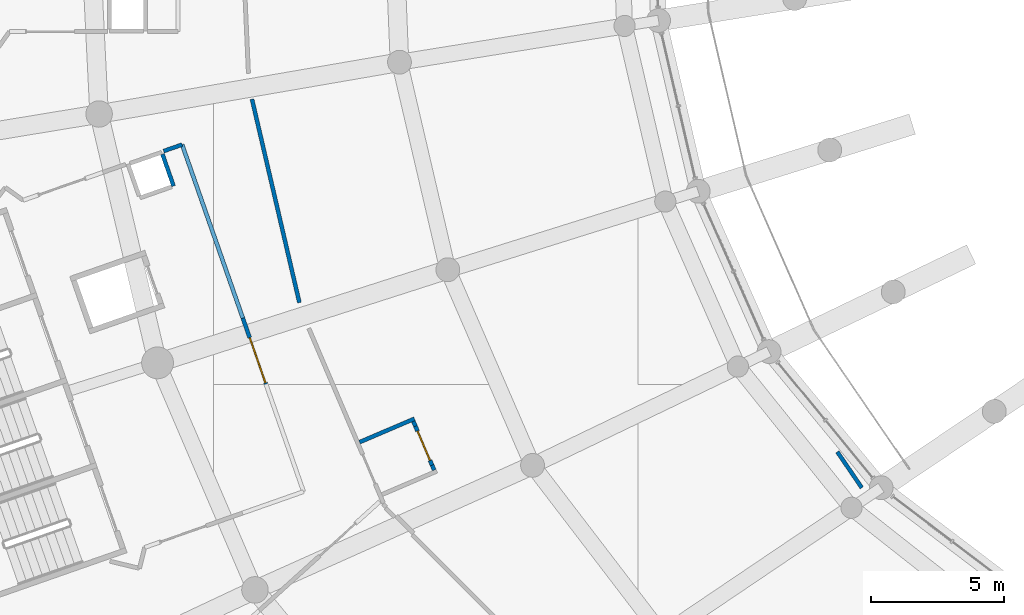
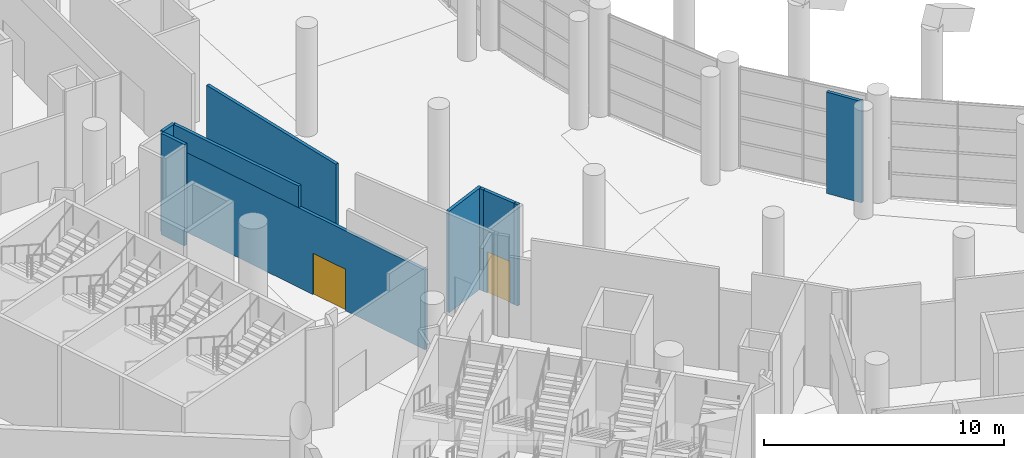
# One storey, part 161 of 271: 10 walls, 2 doors, 2 openings.
"""IFC4 building model written with IfcOpenShell, lengths in metres."""

from ifc_helpers import new_model, si_unit, direction, frame, frame_2d, origin, place, context, subcontext, project, spatial, rectangle, extrude, material, layer, layer_set, type_object, element, fill, save


model = new_model("IFC4")

# Units and contexts
model_context = context("Model", 3, precision=1e-05, world=origin(), true_north=direction((0.0, 1.0)))
body_context = subcontext(model_context, "Body", "Model", "MODEL_VIEW")
ifc_project = project(units=[si_unit("LENGTHUNIT", "METRE"), si_unit("AREAUNIT", "SQUARE_METRE"), si_unit("VOLUMEUNIT", "CUBIC_METRE"), si_unit("PLANEANGLEUNIT", "RADIAN"), si_unit("MASSUNIT", "GRAM", prefix="KILO")], contexts=[model_context])

# Site, building, storey
site_placement = place(None, origin())
site = spatial("IfcSite", under=ifc_project, at=site_placement, CompositionType="ELEMENT")
building_placement = place(site_placement, origin())
building = spatial("IfcBuilding", under=site, at=building_placement, Name="Meseta Stadium", CompositionType="ELEMENT")
storey_placement = place(building_placement, frame((0.0, 0.0, 6.5)))
storey = spatial("IfcBuildingStorey", under=building, at=storey_placement, Name="L01", CompositionType="ELEMENT", Elevation=6.5)

# Walls
ifc_material_1 = material(Name="Masonry blockwork", Category="masonry")
ifc_layer = layer(ifc_material_1, 0.14990234375)
ifc_layer_set = layer_set([ifc_layer], Name="Partition 150")
wall_type = type_object("IfcWallType", Name="Partition 150", PredefinedType="PARTITIONING", material=ifc_layer_set)
wall_1_placement = place(storey_placement, frame((-76.768310546875, -60.917724609375, 0.0), z_axis=(0.0, 0.0, 1.0), x_axis=(-0.226944673482, 0.973907652284, 0.0)))
element("IfcWall", 1, at=wall_1_placement, inside=storey, type_object=wall_type, Name="Partition L01 L01-cell18-0-0", PredefinedType="PARTITIONING", context=body_context, shape_type="SweptSolid", body=[
    extrude(rectangle(XDim=7.882080078125, YDim=0.14990234375, at=frame_2d((3.94091796875, 0.0))), origin(), (0.0, 0.0, 1.0), 5.14990234375),
])
wall_2_placement = place(storey_placement, frame((-56.473388671875, -66.54736328125, 0.0), z_axis=(0.0, 0.0, 1.0), x_axis=(0.562994599626, -0.826460574252, 0.0)))
element("IfcWall", 2, at=wall_2_placement, inside=storey, type_object=wall_type, Name="Partition L01 L01-cell19-0-0", PredefinedType="PARTITIONING", context=body_context, shape_type="SweptSolid", body=[
    extrude(rectangle(XDim=1.638427734375, YDim=0.14990234375, at=frame_2d((0.8193359375, 0.0))), origin(), (0.0, 0.0, 1.0), 5.14990234375),
])
wall_3_placement = place(storey_placement, frame((-81.514404296875, -56.5205078125, 0.0), z_axis=(0.0, 0.0, 1.0), x_axis=(-0.330154221169, 0.943927004722, 0.0)))
element("IfcWall", 3, at=wall_3_placement, inside=storey, type_object=wall_type, Name="Pressurisation shaft wall L01 core 20", PredefinedType="PARTITIONING", context=body_context, shape_type="SweptSolid", body=[
    extrude(rectangle(XDim=1.27490234375, YDim=0.14990234375, at=frame_2d((0.637451171875, 0.0))), origin(), (0.0, 0.0, 1.0), 5.14990234375),
])

# Wall, opening, door
wall_4_placement = place(storey_placement, frame((-76.61181640625, -68.048095703125, 0.0), z_axis=(0.0, 0.0, 1.0), x_axis=(-0.330286915076, 0.943880582346, 0.0)))
wall_4 = element("IfcWall", 4, at=wall_4_placement, inside=storey, type_object=wall_type, Name="Stair vestibule wall L01 core 20", PredefinedType="PARTITIONING", context=body_context, shape_type="SweptSolid", body=[
    extrude(rectangle(XDim=13.869873046875, YDim=0.14990234375, at=frame_2d((6.93505859375, 0.0))), origin(), (0.0, 0.0, 1.0), 4.050048828125),
])
opening_1_placement = place(wall_4_placement, frame((4.35009765625, 0.0, 0.0)))
opening_1 = element("IfcOpeningElement", 5, at=opening_1_placement, cuts=wall_4, Name="Opening D794", PredefinedType="OPENING", context=body_context, shape_type="SweptSolid", body=[
    extrude(rectangle(XDim=1.800048828125, YDim=2.10009765625, at=frame_2d((0.89990234375, 1.050048828125))), frame((0.0, 0.0849609375, 0.0), z_axis=(0.0, -1.0, 0.0), x_axis=(1.0, 0.0, 0.0)), (0.0, 0.0, 1.0), 0.169921875),
])
ifc_material_2 = material(Name="Steel", Category="steel")
door_type_1 = type_object("IfcDoorType", Name="Fire double door 1800x2100 EI2 60", OperationType="DOUBLE_DOOR_SINGLE_SWING", PredefinedType="DOOR", material=ifc_material_2)
door_1_placement = place(opening_1_placement, origin())
door_1 = element("IfcDoor", 6, at=door_1_placement, inside=storey, type_object=door_type_1, Name="Stair vestibule door L01 core 20", OperationType="DOUBLE_DOOR_SINGLE_SWING", OverallHeight=2.10009765625, OverallWidth=1.800048828125, PredefinedType="DOOR", context=body_context, shape_type="SweptSolid", body=[
    extrude(rectangle(XDim=1.800048828125, YDim=2.10009765625, at=frame_2d((0.89990234375, 1.050048828125))), frame((0.0, 0.02490234375, 0.0), z_axis=(0.0, -1.0, 0.0), x_axis=(1.0, 0.0, 0.0)), (0.0, 0.0, 1.0), 0.050048828125),
])
fill(opening_1, door_1)

# Walls
wall_5_placement = place(storey_placement, frame((-78.90234375, -61.50244140625, 4.050048828125), z_axis=(0.0, 0.0, 1.0), x_axis=(-0.330281427664, 0.943882502508, 0.0)))
element("IfcWall", 7, at=wall_5_placement, inside=storey, type_object=wall_type, Name="Stair vestibule wall L01 core 20", PredefinedType="PARTITIONING", context=body_context, shape_type="SweptSolid", body=[
    extrude(rectangle(XDim=6.93505859375, YDim=0.14990234375, at=frame_2d((3.467529296875, 0.0))), origin(), (0.0, 0.0, 1.0), 1.099853515625),
])
wall_6_placement = place(storey_placement, frame((-81.19287109375, -54.95654296875, 0.0), z_axis=(0.0, 0.0, 1.0), x_axis=(-0.943853205793, -0.330365140284, 0.0)))
element("IfcWall", 8, at=wall_6_placement, inside=storey, type_object=wall_type, Name="Stair vestibule wall L01 core 20", PredefinedType="PARTITIONING", context=body_context, shape_type="SweptSolid", body=[
    extrude(rectangle(XDim=0.739013671875, YDim=0.14990234375, at=frame_2d((0.36962890625, 0.0))), origin(), (0.0, 0.0, 1.0), 5.14990234375),
])
wall_7_placement = place(storey_placement, frame((-74.498291015625, -66.181884765625, 0.0), z_axis=(0.0, 0.0, 1.0), x_axis=(0.919660619765, 0.392714074682, 0.0)))
element("IfcWall", 9, at=wall_7_placement, inside=storey, type_object=wall_type, Name="Partition L01 L01-cell19-0-0 vestibule", PredefinedType="PARTITIONING", context=body_context, shape_type="SweptSolid", body=[
    extrude(rectangle(XDim=2.249755859375, YDim=0.14990234375, at=frame_2d((1.125, 0.0))), origin(), (0.0, 0.0, 1.0), 5.14990234375),
])
wall_8_placement = place(storey_placement, frame((-71.683349609375, -67.236083984375, 0.0), z_axis=(0.0, 0.0, 1.0), x_axis=(-0.391709037985, 0.920089142182, 0.0)))
element("IfcWall", 10, at=wall_8_placement, inside=storey, type_object=wall_type, Name="Partition L01 L01-cell19-0-0 vestibule", PredefinedType="PARTITIONING", context=body_context, shape_type="SweptSolid", body=[
    extrude(rectangle(XDim=0.199951171875, YDim=0.14990234375, at=frame_2d((0.10009765625, 0.0))), origin(), (0.0, 0.0, 1.0), 5.14990234375),
])

# Wall, opening, door
wall_9_placement = place(storey_placement, frame((-71.76171875, -67.052001953125, 0.0), z_axis=(0.0, 0.0, 1.0), x_axis=(-0.392758797822, 0.919641520775, 0.0)))
wall_9 = element("IfcWall", 11, at=wall_9_placement, inside=storey, type_object=wall_type, Name="Partition L01 L01-cell19-0-0 vestibule", PredefinedType="PARTITIONING", context=body_context, shape_type="SweptSolid", body=[
    extrude(rectangle(XDim=1.60009765625, YDim=0.14990234375, at=frame_2d((0.800048828125, 0.0))), origin(), (0.0, 0.0, 1.0), 5.14990234375),
])
opening_2_placement = place(wall_9_placement, frame((0.199951171875, 0.0, 0.0)))
opening_2 = element("IfcOpeningElement", 12, at=opening_2_placement, cuts=wall_9, Name="Opening D910", PredefinedType="OPENING", context=body_context, shape_type="SweptSolid", body=[
    extrude(rectangle(XDim=1.199951171875, YDim=2.10009765625, at=frame_2d((0.60009765625, 1.050048828125))), frame((0.0, 0.0849609375, 0.0), z_axis=(0.0, -1.0, 0.0), x_axis=(1.0, 0.0, 0.0)), (0.0, 0.0, 1.0), 0.169921875),
])
ifc_material_3 = material(Name="Steel", Category="steel")
door_type_2 = type_object("IfcDoorType", Name="Fire door 1200x2100 EI2 60", OperationType="NOTDEFINED", PredefinedType="DOOR", material=ifc_material_3)
door_2_placement = place(opening_2_placement, origin())
door_2 = element("IfcDoor", 13, at=door_2_placement, inside=storey, type_object=door_type_2, Name="Vestibule door L01 L01-cell19-0-0", OperationType="SINGLE_SWING_RIGHT", OverallHeight=2.10009765625, OverallWidth=1.199951171875, PredefinedType="DOOR", context=body_context, shape_type="SweptSolid", body=[
    extrude(rectangle(XDim=1.199951171875, YDim=2.10009765625, at=frame_2d((0.60009765625, 1.050048828125))), frame((0.0, 0.02490234375, 0.0), z_axis=(0.0, -1.0, 0.0), x_axis=(1.0, 0.0, 0.0)), (0.0, 0.0, 1.0), 0.050048828125),
])
fill(opening_2, door_2)

# Wall
wall_10_placement = place(storey_placement, frame((-72.39013671875, -65.58056640625, 0.0), z_axis=(0.0, 0.0, 1.0), x_axis=(-0.393182323567, 0.91946052685, 0.0)))
element("IfcWall", 14, at=wall_10_placement, inside=storey, type_object=wall_type, Name="Partition L01 L01-cell19-0-0 vestibule", PredefinedType="PARTITIONING", context=body_context, shape_type="SweptSolid", body=[
    extrude(rectangle(XDim=0.199951171875, YDim=0.14990234375, at=frame_2d((0.10009765625, 0.0))), origin(), (0.0, 0.0, 1.0), 5.14990234375),
])

save(model, "model.ifc")
